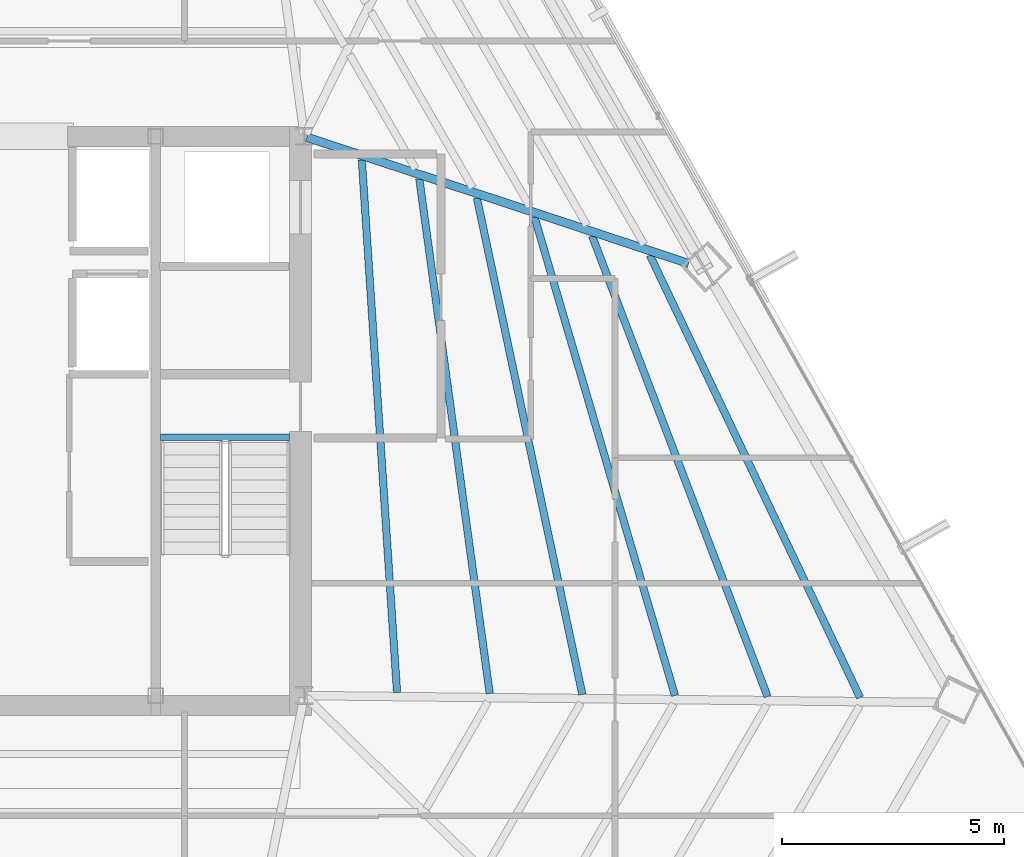
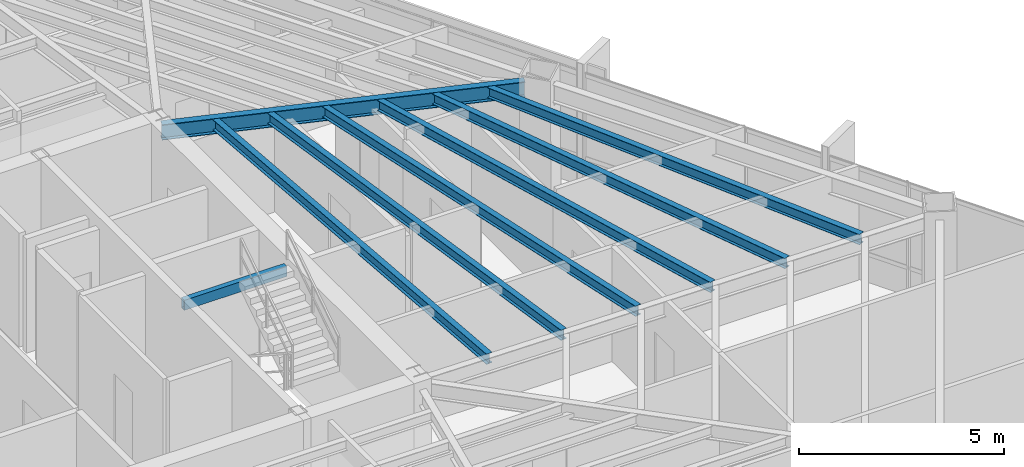
# One storey, part 23 of 42: 8 beams.
"""IFC4 building model written with IfcOpenShell, lengths in metres."""

from ifc_helpers import new_model, si_unit, direction, frame, origin, origin_2d, place, context, subcontext, project, spatial, hollow_rectangle, i_section, extrude, source, transform, mapped, material, material_profile, profile_set, type_object, type_shapes, element, save


model = new_model("IFC4")

# Units and contexts
model_context = context("Model", 3, precision=1e-05, world=origin(), true_north=direction((0.0, 1.0)))
body_context = subcontext(model_context, "Body", "Model", "MODEL_VIEW")
ifc_project = project(units=[si_unit("LENGTHUNIT", "METRE"), si_unit("AREAUNIT", "SQUARE_METRE"), si_unit("VOLUMEUNIT", "CUBIC_METRE"), si_unit("PLANEANGLEUNIT", "RADIAN"), si_unit("MASSUNIT", "GRAM", prefix="KILO")], contexts=[model_context])

# Site, building, storey
site_placement = place(None, origin())
site = spatial("IfcSite", under=ifc_project, at=site_placement, CompositionType="ELEMENT")
building_placement = place(site_placement, origin())
building = spatial("IfcBuilding", under=site, at=building_placement, Name="Caelisora Broadcast Tower", CompositionType="ELEMENT")
storey_placement = place(building_placement, frame((0.0, 0.0, 195.0)))
storey = spatial("IfcBuildingStorey", under=building, at=storey_placement, Name="L51", CompositionType="ELEMENT", Elevation=195.0)

# Beams
ifc_material_1 = material(Name="Steel Grade 350 (AS/NZS 1163 C350L0)", Category="steel")
ifc_material_profile_1 = material_profile(ifc_material_1, hollow_rectangle(XDim=0.14990234375, YDim=0.300048828125, WallThickness=0.010009765625, at=origin_2d()), Name="Steel Grade 350 (AS/NZS 1163 C350L0)")
ifc_profile_set_1 = profile_set([ifc_material_profile_1], Name="Steel Grade 350 (AS/NZS 1163 C350L0)")
beam_type_1 = type_object("IfcBeamType", Name="SB05", PredefinedType="JOIST", material=ifc_profile_set_1)
shared_shape_1 = source(origin(), body_context, "Body", "SweptSolid", [
    extrude(hollow_rectangle(XDim=0.14990234375, YDim=0.300048828125, WallThickness=0.010009765625, at=origin_2d()), origin(), (0.0, 0.0, 1.0), 2.89990234375),
])
type_shapes(beam_type_1, [shared_shape_1])
beam_1_placement = place(storey_placement, frame((42.260009765625, 23.219970703125, 3.25), z_axis=(1.0, 0.0, 0.0), x_axis=(0.0, 1.0, 0.0)))
element("IfcBeam", 1, at=beam_1_placement, inside=storey, type_object=beam_type_1, Name="L51 beam SB05", PredefinedType="JOIST", context=body_context, shape_type="MappedRepresentation", body=[
    mapped(shared_shape_1, transform((0.0, 0.0, 0.0), scale=1.0)),
])
ifc_material_2 = material(Name="Steel Grade 350 (AS/NZS 3679.1)", Category="steel")
ifc_material_profile_2 = material_profile(ifc_material_2, i_section(OverallWidth=0.19091796875, OverallDepth=0.46044921875, WebThickness=0.010009765625, FlangeThickness=0.01611328125, at=origin_2d()), Name="Steel Grade 350 (AS/NZS 3679.1)")
ifc_profile_set_2 = profile_set([ifc_material_profile_2], Name="Steel Grade 350 (AS/NZS 3679.1)")
beam_type_2 = type_object("IfcBeamType", Name="PG06", PredefinedType="BEAM", material=ifc_profile_set_2)
shared_shape_2 = source(origin(), body_context, "Body", "SweptSolid", [
    extrude(i_section(OverallWidth=0.19091796875, OverallDepth=0.46044921875, WebThickness=0.010009765625, FlangeThickness=0.01611328125, at=origin_2d()), origin(), (0.0, 0.0, 1.0), 9.06103515625),
])
type_shapes(beam_type_2, [shared_shape_2])
beam_2_placement = place(storey_placement, frame((45.556884765625, 29.981201171875, 3.169921875), z_axis=(0.949384199713, -0.314117241386, 0.0), x_axis=(0.314117241386, 0.949384199713, 0.0)))
element("IfcBeam", 2, at=beam_2_placement, inside=storey, type_object=beam_type_2, Name="L51 beam PG06", PredefinedType="BEAM", context=body_context, shape_type="MappedRepresentation", body=[
    mapped(shared_shape_2, transform((0.0, 0.0, 0.0), scale=1.0)),
])
ifc_material_profile_3 = material_profile(ifc_material_2, i_section(OverallWidth=0.166015625, OverallDepth=0.30712890625, WebThickness=0.006591796875, FlangeThickness=0.01171875, at=origin_2d()), Name="Steel Grade 350 (AS/NZS 3679.1)")
ifc_profile_set_3 = profile_set([ifc_material_profile_3], Name="Steel Grade 350 (AS/NZS 3679.1)")
beam_type_3 = type_object("IfcBeamType", Name="SB03", PredefinedType="JOIST", material=ifc_profile_set_3)
shared_shape_3 = source(origin(), body_context, "Body", "SweptSolid", [
    extrude(i_section(OverallWidth=0.166015625, OverallDepth=0.30712890625, WebThickness=0.006591796875, FlangeThickness=0.01171875, at=origin_2d()), origin(), (0.0, 0.0, 1.0), 12.03076171875),
])
beam_3_placement = place(storey_placement, frame((47.58837890625, 17.469482421875, 3.246337890625), z_axis=(-0.065972170129, 0.997821463373, 0.0), x_axis=(-0.997821463373, -0.065972170129, 0.0)))
element("IfcBeam", 3, at=beam_3_placement, inside=storey, type_object=beam_type_3, Name="L51 beam SB03", PredefinedType="JOIST", context=body_context, shape_type="MappedRepresentation", body=[
    mapped(shared_shape_3, transform((0.0, 0.0, 0.0), scale=1.0)),
])
shared_shape_4 = source(origin(), body_context, "Body", "SweptSolid", [
    extrude(i_section(OverallWidth=0.166015625, OverallDepth=0.30712890625, WebThickness=0.006591796875, FlangeThickness=0.01171875, at=origin_2d()), origin(), (0.0, 0.0, 1.0), 11.706787109375),
])
beam_4_placement = place(storey_placement, frame((49.676513671875, 17.446533203125, 3.246337890625), z_axis=(-0.135512432331, 0.990775645988, 0.0), x_axis=(-0.990775645988, -0.135512432331, 0.0)))
element("IfcBeam", 4, at=beam_4_placement, inside=storey, type_object=beam_type_3, Name="L51 beam SB03", PredefinedType="JOIST", context=body_context, shape_type="MappedRepresentation", body=[
    mapped(shared_shape_4, transform((0.0, 0.0, 0.0), scale=1.0)),
])
shared_shape_5 = source(origin(), body_context, "Body", "SweptSolid", [
    extrude(i_section(OverallWidth=0.166015625, OverallDepth=0.30712890625, WebThickness=0.006591796875, FlangeThickness=0.01171875, at=origin_2d()), origin(), (0.0, 0.0, 1.0), 11.442138671875),
])
beam_5_placement = place(storey_placement, frame((51.763916015625, 17.423828125, 3.246337890625), z_axis=(-0.207780156731, 0.978175549924, 0.0), x_axis=(-0.978175549924, -0.207780156731, 0.0)))
element("IfcBeam", 5, at=beam_5_placement, inside=storey, type_object=beam_type_3, Name="L51 beam SB03", PredefinedType="JOIST", context=body_context, shape_type="MappedRepresentation", body=[
    mapped(shared_shape_5, transform((0.0, 0.0, 0.0), scale=1.0)),
])
shared_shape_6 = source(origin(), body_context, "Body", "SweptSolid", [
    extrude(i_section(OverallWidth=0.166015625, OverallDepth=0.30712890625, WebThickness=0.006591796875, FlangeThickness=0.01171875, at=origin_2d()), origin(), (0.0, 0.0, 1.0), 11.241455078125),
])
beam_6_placement = place(storey_placement, frame((53.850830078125, 17.40087890625, 3.246337890625), z_axis=(-0.281704195823, 0.959501300706, 0.0), x_axis=(-0.959501300706, -0.281704195823, 0.0)))
element("IfcBeam", 6, at=beam_6_placement, inside=storey, type_object=beam_type_3, Name="L51 beam SB03", PredefinedType="JOIST", context=body_context, shape_type="MappedRepresentation", body=[
    mapped(shared_shape_6, transform((0.0, 0.0, 0.0), scale=1.0)),
])
shared_shape_7 = source(origin(), body_context, "Body", "SweptSolid", [
    extrude(i_section(OverallWidth=0.166015625, OverallDepth=0.30712890625, WebThickness=0.006591796875, FlangeThickness=0.01171875, at=origin_2d()), origin(), (0.0, 0.0, 1.0), 11.10693359375),
])
beam_7_placement = place(storey_placement, frame((55.93701171875, 17.3779296875, 3.246337890625), z_axis=(-0.356006296366, 0.934483556275, 0.0), x_axis=(-0.934483556275, -0.356006296366, 0.0)))
element("IfcBeam", 7, at=beam_7_placement, inside=storey, type_object=beam_type_3, Name="L51 beam SB03", PredefinedType="JOIST", context=body_context, shape_type="MappedRepresentation", body=[
    mapped(shared_shape_7, transform((0.0, 0.0, 0.0), scale=1.0)),
])
shared_shape_8 = source(origin(), body_context, "Body", "SweptSolid", [
    extrude(i_section(OverallWidth=0.166015625, OverallDepth=0.30712890625, WebThickness=0.006591796875, FlangeThickness=0.01171875, at=origin_2d()), origin(), (0.0, 0.0, 1.0), 11.0400390625),
])
type_shapes(beam_type_3, [shared_shape_3, shared_shape_4, shared_shape_5, shared_shape_6, shared_shape_7, shared_shape_8])
beam_8_placement = place(storey_placement, frame((58.022705078125, 17.355224609375, 3.246337890625), z_axis=(-0.429256180316, 0.903182778656, 0.0), x_axis=(-0.903182778656, -0.429256180316, 0.0)))
element("IfcBeam", 8, at=beam_8_placement, inside=storey, type_object=beam_type_3, Name="L51 beam SB03", PredefinedType="JOIST", context=body_context, shape_type="MappedRepresentation", body=[
    mapped(shared_shape_8, transform((0.0, 0.0, 0.0), scale=1.0)),
])

save(model, "model.ifc")
